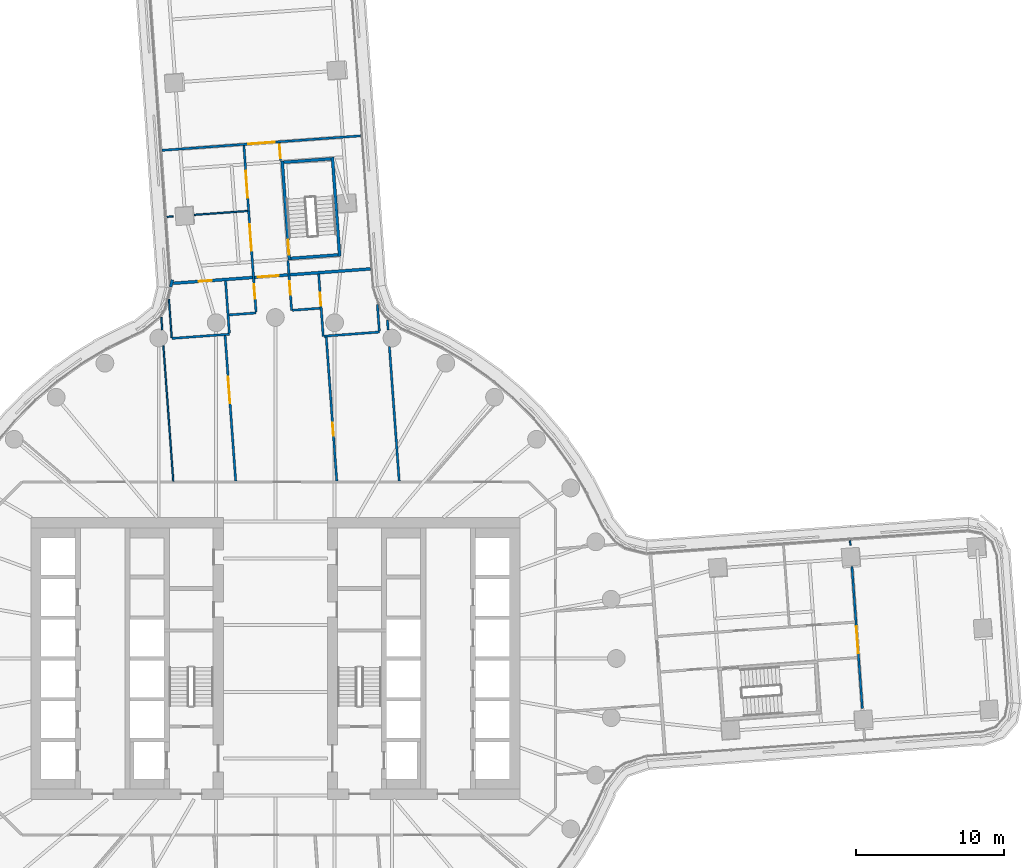
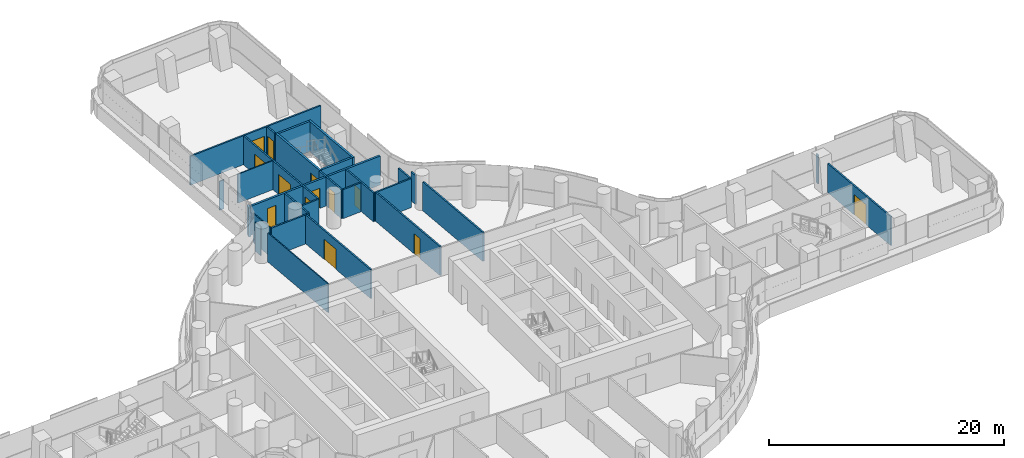
# One storey, part 23 of 31: 28 walls, 13 doors, 13 openings.
"""IFC4 building model written with IfcOpenShell, lengths in metres."""

from ifc_helpers import new_model, si_unit, direction, frame, frame_2d, origin, place, context, subcontext, project, spatial, polyline, rectangle, outline, extrude, material, layer, layer_set, type_object, element, fill, save


model = new_model("IFC4")

# Units and contexts
model_context = context("Model", 3, precision=1e-05, world=origin(), true_north=direction((0.0, 1.0)))
body_context = subcontext(model_context, "Body", "Model", "MODEL_VIEW")
ifc_project = project(units=[si_unit("LENGTHUNIT", "METRE"), si_unit("AREAUNIT", "SQUARE_METRE"), si_unit("VOLUMEUNIT", "CUBIC_METRE"), si_unit("PLANEANGLEUNIT", "RADIAN"), si_unit("MASSUNIT", "GRAM", prefix="KILO")], contexts=[model_context])

# Site, building, storey
site_placement = place(None, origin())
site = spatial("IfcSite", under=ifc_project, at=site_placement, CompositionType="ELEMENT")
building_placement = place(site_placement, origin())
building = spatial("IfcBuilding", under=site, at=building_placement, Name="Tamarind Cross Interchange Tower", CompositionType="ELEMENT")
storey_placement = place(building_placement, frame((0.0, 0.0, 49.0)))
storey = spatial("IfcBuildingStorey", under=building, at=storey_placement, Name="L10", CompositionType="ELEMENT", Elevation=49.0)

# Walls
ifc_material_1 = material(Name="Gypsum board partition on steel studs", Category="steel")
ifc_layer_1 = layer(ifc_material_1, 0.10009765625)
ifc_layer_set_1 = layer_set([ifc_layer_1], Name="Gypsum board partition on steel studs")
wall_type_1 = type_object("IfcWallType", Name="Partition 100 mm EI 90", PredefinedType="PARTITIONING", material=ifc_layer_set_1)
wall_1_placement = place(storey_placement, frame((-7.69384765625, 23.006591796875, 0.0), z_axis=(0.0, 0.0, 1.0), x_axis=(0.072780226335, -0.997348002783, 0.0)))
element("IfcWall", 1, at=wall_1_placement, inside=storey, type_object=wall_type_1, Name="Partition L10-007", PredefinedType="PARTITIONING", context=body_context, shape_type="SweptSolid", body=[
    extrude(rectangle(XDim=0.8486328125, YDim=0.10009765625, at=frame_2d((0.42431640625, 0.0))), origin(), (0.0, 0.0, 1.0), 3.010009765625),
])
wall_2_placement = place(storey_placement, frame((-7.553955078125, 21.09228515625, 0.0), z_axis=(0.0, 0.0, 1.0), x_axis=(0.072893491176, -0.997339730956, 0.0)))
element("IfcWall", 2, at=wall_2_placement, inside=storey, type_object=wall_type_1, Name="Partition L10-008", PredefinedType="PARTITIONING", context=body_context, shape_type="SweptSolid", body=[
    extrude(rectangle(XDim=9.156982421875, YDim=0.10009765625, at=frame_2d((4.57861328125, 0.0))), origin(), (0.0, 0.0, 1.0), 3.010009765625),
])
wall_3_placement = place(storey_placement, frame((-7.180908203125, 24.22509765625, 0.0), z_axis=(0.0, 0.0, 1.0), x_axis=(0.072617781565, -0.997359843688, 0.0)))
element("IfcWall", 3, at=wall_3_placement, inside=storey, type_object=wall_type_1, Name="Partition L10-011", PredefinedType="PARTITIONING", context=body_context, shape_type="SweptSolid", body=[
    extrude(rectangle(XDim=2.58203125, YDim=0.10009765625, at=frame_2d((1.291015625, 0.0))), origin(), (0.0, 0.0, 1.0), 3.010009765625),
])
wall_4_placement = place(storey_placement, frame((38.76416015625, 7.960205078125, 0.0), z_axis=(0.0, 0.0, 1.0), x_axis=(0.072708373426, -0.997353243557, 0.0)))
element("IfcWall", 4, at=wall_4_placement, inside=storey, type_object=wall_type_1, Name="Partition L10-032", PredefinedType="PARTITIONING", context=body_context, shape_type="SweptSolid", body=[
    extrude(rectangle(XDim=0.33251953125, YDim=0.10009765625, at=frame_2d((0.166259765625, 0.0))), origin(), (0.0, 0.0, 1.0), 3.010009765625),
])
wall_5_placement = place(storey_placement, frame((-7.324951171875, 29.787109375, 0.0), z_axis=(0.0, 0.0, 1.0), x_axis=(0.997375405729, 0.07240372951, 0.0)))
element("IfcWall", 5, at=wall_5_placement, inside=storey, type_object=wall_type_1, Name="Partition L10-052", PredefinedType="PARTITIONING", context=body_context, shape_type="SweptSolid", body=[
    extrude(rectangle(XDim=0.43505859375, YDim=0.10009765625, at=frame_2d((0.217529296875, 0.0))), origin(), (0.0, 0.0, 1.0), 3.010009765625),
])
wall_6_placement = place(storey_placement, frame((-5.458984375, 29.923095703125, 0.0), z_axis=(0.0, 0.0, 1.0), x_axis=(0.997346702702, 0.072798039874, 0.0)))
element("IfcWall", 6, at=wall_6_placement, inside=storey, type_object=wall_type_1, Name="Partition L10-053", PredefinedType="PARTITIONING", context=body_context, shape_type="SweptSolid", body=[
    extrude(rectangle(XDim=3.601806640625, YDim=0.10009765625, at=frame_2d((1.80078125, 0.0))), origin(), (0.0, 0.0, 1.0), 3.010009765625),
])

# Wall, opening, door
ifc_layer_2 = layer(ifc_material_1, 0.14990234375)
ifc_layer_set_2 = layer_set([ifc_layer_2], Name="Gypsum board partition on steel studs")
wall_type_2 = type_object("IfcWallType", Name="Partition 150 mm EI 120", PredefinedType="PARTITIONING", material=ifc_layer_set_2)
wall_7_placement = place(storey_placement, frame((-3.392822265625, 21.7822265625, 0.0), z_axis=(0.0, 0.0, 1.0), x_axis=(0.072843863504, -0.997343356899, 0.0)))
wall_7 = element("IfcWall", 7, at=wall_7_placement, inside=storey, type_object=wall_type_2, Name="Partition L10-013", PredefinedType="PARTITIONING", context=body_context, shape_type="SweptSolid", body=[
    extrude(rectangle(XDim=9.843505859375, YDim=0.14990234375, at=frame_2d((4.921875, 0.0))), origin(), (0.0, 0.0, 1.0), 3.010009765625),
])
opening_1_placement = place(wall_7_placement, frame((2.780029296875, 0.0, 0.0)))
opening_1 = element("IfcOpeningElement", 8, at=opening_1_placement, cuts=wall_7, Name="Opening D04", PredefinedType="OPENING", context=body_context, shape_type="SweptSolid", body=[
    extrude(rectangle(XDim=1.800048828125, YDim=2.10009765625, at=frame_2d((0.89990234375, 1.050048828125))), frame((0.0, 0.0849609375, 0.0), z_axis=(0.0, -1.0, 0.0), x_axis=(1.0, 0.0, 0.0)), (0.0, 0.0, 1.0), 0.169921875),
])
ifc_material_2 = material(Name="Fire-resisting door set")
door_type_1 = type_object("IfcDoorType", Name="Interior door 1800 x 2100 FD60S", OperationType="DOUBLE_DOOR_SINGLE_SWING", PredefinedType="DOOR", material=ifc_material_2)
door_1_placement = place(opening_1_placement, frame((1.800048828125, 0.0, 0.0), z_axis=(0.0, 0.0, 1.0), x_axis=(-1.0, 0.0, 0.0)))
door_1 = element("IfcDoor", 9, at=door_1_placement, inside=storey, type_object=door_type_1, Name="Door D04", OperationType="DOUBLE_DOOR_SINGLE_SWING", OverallHeight=2.10009765625, OverallWidth=1.800048828125, PredefinedType="DOOR", context=body_context, shape_type="SweptSolid", body=[
    extrude(rectangle(XDim=1.800048828125, YDim=2.10009765625, at=frame_2d((0.89990234375, 1.050048828125))), frame((0.0, 0.02490234375, 0.0), z_axis=(0.0, -1.0, 0.0), x_axis=(1.0, 0.0, 0.0)), (0.0, 0.0, 1.0), 0.050048828125),
])
fill(opening_1, door_1)

# Wall
wall_8_placement = place(storey_placement, frame((-3.362060546875, 25.46923828125, 0.0), z_axis=(0.0, 0.0, 1.0), x_axis=(0.072967272468, -0.997334335691, 0.0)))
element("IfcWall", 10, at=wall_8_placement, inside=storey, type_object=wall_type_2, Name="Partition L10-014", PredefinedType="PARTITIONING", context=body_context, shape_type="SweptSolid", body=[
    extrude(rectangle(XDim=3.5400390625, YDim=0.14990234375, at=frame_2d((1.77001953125, 0.0))), origin(), (0.0, 0.0, 1.0), 3.010009765625),
])

# Wall, openings, doors
wall_9_placement = place(storey_placement, frame((-2.125, 34.609130859375, 0.0), z_axis=(0.0, 0.0, 1.0), x_axis=(0.072882577089, -0.997340528584, 0.0)))
wall_9 = element("IfcWall", 11, at=wall_9_placement, inside=storey, type_object=wall_type_2, Name="Partition L10-015", PredefinedType="PARTITIONING", context=body_context, shape_type="SweptSolid", body=[
    extrude(rectangle(XDim=11.265380859375, YDim=0.14990234375, at=frame_2d((5.6328125, 0.0))), origin(), (0.0, 0.0, 1.0), 3.010009765625),
])
opening_2_placement = place(wall_9_placement, frame((9.380859375, 0.0, 0.0)))
opening_2 = element("IfcOpeningElement", 12, at=opening_2_placement, cuts=wall_9, Name="Opening D05", PredefinedType="OPENING", context=body_context, shape_type="SweptSolid", body=[
    extrude(rectangle(XDim=1.0, YDim=2.10009765625, at=frame_2d((0.5, 1.050048828125))), frame((0.0, 0.0849609375, 0.0), z_axis=(0.0, -1.0, 0.0), x_axis=(1.0, 0.0, 0.0)), (0.0, 0.0, 1.0), 0.169921875),
])
opening_3_placement = place(wall_9_placement, frame((1.72998046875, 0.0, 0.0)))
opening_3 = element("IfcOpeningElement", 13, at=opening_3_placement, cuts=wall_9, Name="Opening D06", PredefinedType="OPENING", context=body_context, shape_type="SweptSolid", body=[
    extrude(rectangle(XDim=1.800048828125, YDim=2.10009765625, at=frame_2d((0.89990234375, 1.050048828125))), frame((0.0, 0.0849609375, 0.0), z_axis=(0.0, -1.0, 0.0), x_axis=(1.0, 0.0, 0.0)), (0.0, 0.0, 1.0), 0.169921875),
])
opening_4_placement = place(wall_9_placement, frame((5.3310546875, 0.0, 0.0)))
opening_4 = element("IfcOpeningElement", 14, at=opening_4_placement, cuts=wall_9, Name="Opening D07", PredefinedType="OPENING", context=body_context, shape_type="SweptSolid", body=[
    extrude(rectangle(XDim=1.800048828125, YDim=2.10009765625, at=frame_2d((0.89990234375, 1.050048828125))), frame((0.0, 0.0849609375, 0.0), z_axis=(0.0, -1.0, 0.0), x_axis=(1.0, 0.0, 0.0)), (0.0, 0.0, 1.0), 0.169921875),
])
door_type_2 = type_object("IfcDoorType", Name="Interior door 1000 x 2100 FD60S", OperationType="SINGLE_SWING_LEFT", PredefinedType="DOOR", material=ifc_material_2)
door_2_placement = place(opening_2_placement, frame((1.0, 0.0, 0.0), z_axis=(0.0, 0.0, 1.0), x_axis=(-1.0, 0.0, 0.0)))
door_2 = element("IfcDoor", 15, at=door_2_placement, inside=storey, type_object=door_type_2, Name="Door D05", OperationType="SINGLE_SWING_RIGHT", OverallHeight=2.10009765625, OverallWidth=1.0, PredefinedType="DOOR", context=body_context, shape_type="SweptSolid", body=[
    extrude(rectangle(XDim=1.0, YDim=2.10009765625, at=frame_2d((0.5, 1.050048828125))), frame((0.0, 0.02490234375, 0.0), z_axis=(0.0, -1.0, 0.0), x_axis=(1.0, 0.0, 0.0)), (0.0, 0.0, 1.0), 0.050048828125),
])
fill(opening_2, door_2)
door_3_placement = place(opening_3_placement, frame((1.800048828125, 0.0, 0.0), z_axis=(0.0, 0.0, 1.0), x_axis=(-1.0, 0.0, 0.0)))
door_3 = element("IfcDoor", 16, at=door_3_placement, inside=storey, type_object=door_type_1, Name="Door D06", OperationType="DOUBLE_DOOR_SINGLE_SWING", OverallHeight=2.10009765625, OverallWidth=1.800048828125, PredefinedType="DOOR", context=body_context, shape_type="SweptSolid", body=[
    extrude(rectangle(XDim=1.800048828125, YDim=2.10009765625, at=frame_2d((0.89990234375, 1.050048828125))), frame((0.0, 0.02490234375, 0.0), z_axis=(0.0, -1.0, 0.0), x_axis=(1.0, 0.0, 0.0)), (0.0, 0.0, 1.0), 0.050048828125),
])
fill(opening_3, door_3)
door_4_placement = place(opening_4_placement, frame((1.800048828125, 0.0, 0.0), z_axis=(0.0, 0.0, 1.0), x_axis=(-1.0, 0.0, 0.0)))
door_4 = element("IfcDoor", 17, at=door_4_placement, inside=storey, type_object=door_type_1, Name="Door D07", OperationType="DOUBLE_DOOR_SINGLE_SWING", OverallHeight=2.10009765625, OverallWidth=1.800048828125, PredefinedType="DOOR", context=body_context, shape_type="SweptSolid", body=[
    extrude(rectangle(XDim=1.800048828125, YDim=2.10009765625, at=frame_2d((0.89990234375, 1.050048828125))), frame((0.0, 0.02490234375, 0.0), z_axis=(0.0, -1.0, 0.0), x_axis=(1.0, 0.0, 0.0)), (0.0, 0.0, 1.0), 0.050048828125),
])
fill(opening_4, door_4)

# Wall, opening, door
wall_10_placement = place(storey_placement, frame((0.268798828125, 34.7880859375, 0.0), z_axis=(0.0, 0.0, 1.0), x_axis=(0.072757475397, -0.997349662743, 0.0)))
wall_10 = element("IfcWall", 18, at=wall_10_placement, inside=storey, type_object=wall_type_2, Name="Partition L10-018", PredefinedType="PARTITIONING", context=body_context, shape_type="SweptSolid", body=[
    extrude(rectangle(XDim=1.194580078125, YDim=0.14990234375, at=frame_2d((0.59716796875, 0.0))), origin(), (0.0, 0.0, 1.0), 3.010009765625),
])
opening_5_placement = place(wall_10_placement, frame((0.144775390625, 0.0, 0.0)))
opening_5 = element("IfcOpeningElement", 19, at=opening_5_placement, cuts=wall_10, Name="Opening D09", PredefinedType="OPENING", context=body_context, shape_type="SweptSolid", body=[
    extrude(rectangle(XDim=0.89990234375, YDim=2.10009765625, at=frame_2d((0.449951171875, 1.050048828125))), frame((0.0, 0.0849609375, 0.0), z_axis=(0.0, -1.0, 0.0), x_axis=(1.0, 0.0, 0.0)), (0.0, 0.0, 1.0), 0.169921875),
])
door_type_3 = type_object("IfcDoorType", Name="Interior door 900 x 2100 FD60S", OperationType="SINGLE_SWING_LEFT", PredefinedType="DOOR", material=ifc_material_2)
door_5_placement = place(opening_5_placement, origin())
door_5 = element("IfcDoor", 20, at=door_5_placement, inside=storey, type_object=door_type_3, Name="Door D09", OperationType="SINGLE_SWING_RIGHT", OverallHeight=2.10009765625, OverallWidth=0.89990234375, PredefinedType="DOOR", context=body_context, shape_type="SweptSolid", body=[
    extrude(rectangle(XDim=0.89990234375, YDim=2.10009765625, at=frame_2d((0.449951171875, 1.050048828125))), frame((0.0, 0.02490234375, 0.0), z_axis=(0.0, -1.0, 0.0), x_axis=(1.0, 0.0, 0.0)), (0.0, 0.0, 1.0), 0.050048828125),
])
fill(opening_5, door_5)

wall_11_placement = place(storey_placement, frame((0.85009765625, 26.834716796875, 0.0), z_axis=(0.0, 0.0, 1.0), x_axis=(0.072883967088, -0.997340427006, 0.0)))
wall_11 = element("IfcWall", 21, at=wall_11_placement, inside=storey, type_object=wall_type_2, Name="Partition L10-019", PredefinedType="PARTITIONING", context=body_context, shape_type="SweptSolid", body=[
    extrude(rectangle(XDim=3.35986328125, YDim=0.14990234375, at=frame_2d((1.679931640625, 0.0))), origin(), (0.0, 0.0, 1.0), 3.010009765625),
])
opening_6_placement = place(wall_11_placement, frame((1.410400390625, 0.0, 0.0)))
opening_6 = element("IfcOpeningElement", 22, at=opening_6_placement, cuts=wall_11, Name="Opening D10", PredefinedType="OPENING", context=body_context, shape_type="SweptSolid", body=[
    extrude(rectangle(XDim=0.89990234375, YDim=2.10009765625, at=frame_2d((0.449951171875, 1.050048828125))), frame((0.0, 0.0849609375, 0.0), z_axis=(0.0, -1.0, 0.0), x_axis=(1.0, 0.0, 0.0)), (0.0, 0.0, 1.0), 0.169921875),
])
door_6_placement = place(opening_6_placement, origin())
door_6 = element("IfcDoor", 23, at=door_6_placement, inside=storey, type_object=door_type_3, Name="Door D10", OperationType="SINGLE_SWING_LEFT", OverallHeight=2.10009765625, OverallWidth=0.89990234375, PredefinedType="DOOR", context=body_context, shape_type="SweptSolid", body=[
    extrude(rectangle(XDim=0.89990234375, YDim=2.10009765625, at=frame_2d((0.449951171875, 1.050048828125))), frame((0.0, 0.02490234375, 0.0), z_axis=(0.0, -1.0, 0.0), x_axis=(1.0, 0.0, 0.0)), (0.0, 0.0, 1.0), 0.050048828125),
])
fill(opening_6, door_6)

wall_12_placement = place(storey_placement, frame((2.921875, 25.92822265625, 0.0), z_axis=(0.0, 0.0, 1.0), x_axis=(0.072526243823, -0.997366504329, 0.0)))
wall_12 = element("IfcWall", 24, at=wall_12_placement, inside=storey, type_object=wall_type_2, Name="Partition L10-023", PredefinedType="PARTITIONING", context=body_context, shape_type="SweptSolid", body=[
    extrude(rectangle(XDim=4.204345703125, YDim=0.14990234375, at=frame_2d((2.10205078125, 0.0))), origin(), (0.0, 0.0, 1.0), 3.010009765625),
])
opening_7_placement = place(wall_12_placement, frame((1.2548828125, 0.0, 0.0)))
opening_7 = element("IfcOpeningElement", 25, at=opening_7_placement, cuts=wall_12, Name="Opening D14", PredefinedType="OPENING", context=body_context, shape_type="SweptSolid", body=[
    extrude(rectangle(XDim=0.89990234375, YDim=2.10009765625, at=frame_2d((0.449951171875, 1.050048828125))), frame((0.0, 0.0849609375, 0.0), z_axis=(0.0, -1.0, 0.0), x_axis=(1.0, 0.0, 0.0)), (0.0, 0.0, 1.0), 0.169921875),
])
door_7_placement = place(opening_7_placement, origin())
door_7 = element("IfcDoor", 26, at=door_7_placement, inside=storey, type_object=door_type_3, Name="Door D14", OperationType="SINGLE_SWING_RIGHT", OverallHeight=2.10009765625, OverallWidth=0.89990234375, PredefinedType="DOOR", context=body_context, shape_type="SweptSolid", body=[
    extrude(rectangle(XDim=0.89990234375, YDim=2.10009765625, at=frame_2d((0.449951171875, 1.050048828125))), frame((0.0, 0.02490234375, 0.0), z_axis=(0.0, -1.0, 0.0), x_axis=(1.0, 0.0, 0.0)), (0.0, 0.0, 1.0), 0.050048828125),
])
fill(opening_7, door_7)

wall_13_placement = place(storey_placement, frame((3.43212890625, 21.68017578125, 0.0), z_axis=(0.0, 0.0, 1.0), x_axis=(0.072906931185, -0.997338748563, 0.0)))
wall_13 = element("IfcWall", 27, at=wall_13_placement, inside=storey, type_object=wall_type_2, Name="Partition L10-024", PredefinedType="PARTITIONING", context=body_context, shape_type="SweptSolid", body=[
    extrude(rectangle(XDim=9.7412109375, YDim=0.14990234375, at=frame_2d((4.87060546875, 0.0))), origin(), (0.0, 0.0, 1.0), 3.010009765625),
])
opening_8_placement = place(wall_13_placement, frame((5.780029296875, 0.0, 0.0)))
opening_8 = element("IfcOpeningElement", 28, at=opening_8_placement, cuts=wall_13, Name="Opening D15", PredefinedType="OPENING", context=body_context, shape_type="SweptSolid", body=[
    extrude(rectangle(XDim=0.89990234375, YDim=2.10009765625, at=frame_2d((0.449951171875, 1.050048828125))), frame((0.0, 0.0849609375, 0.0), z_axis=(0.0, -1.0, 0.0), x_axis=(1.0, 0.0, 0.0)), (0.0, 0.0, 1.0), 0.169921875),
])
door_8_placement = place(opening_8_placement, origin())
door_8 = element("IfcDoor", 29, at=door_8_placement, inside=storey, type_object=door_type_3, Name="Door D15", OperationType="SINGLE_SWING_LEFT", OverallHeight=2.10009765625, OverallWidth=0.89990234375, PredefinedType="DOOR", context=body_context, shape_type="SweptSolid", body=[
    extrude(rectangle(XDim=0.89990234375, YDim=2.10009765625, at=frame_2d((0.449951171875, 1.050048828125))), frame((0.0, 0.02490234375, 0.0), z_axis=(0.0, -1.0, 0.0), x_axis=(1.0, 0.0, 0.0)), (0.0, 0.0, 1.0), 0.050048828125),
])
fill(opening_8, door_8)

# Walls
wall_14_placement = place(storey_placement, frame((6.882080078125, 23.873779296875, 0.0), z_axis=(0.0, 0.0, 1.0), x_axis=(0.072717949107, -0.997352545431, 0.0)))
element("IfcWall", 30, at=wall_14_placement, inside=storey, type_object=wall_type_2, Name="Partition L10-027", PredefinedType="PARTITIONING", context=body_context, shape_type="SweptSolid", body=[
    extrude(rectangle(XDim=1.792724609375, YDim=0.14990234375, at=frame_2d((0.896484375, 0.0))), origin(), (0.0, 0.0, 1.0), 3.010009765625),
])
wall_15_placement = place(storey_placement, frame((7.55908203125, 22.843017578125, 0.0), z_axis=(0.0, 0.0, 1.0), x_axis=(0.072804156196, -0.997346256242, 0.0)))
element("IfcWall", 31, at=wall_15_placement, inside=storey, type_object=wall_type_2, Name="Partition L10-028", PredefinedType="PARTITIONING", context=body_context, shape_type="SweptSolid", body=[
    extrude(rectangle(XDim=0.69091796875, YDim=0.14990234375, at=frame_2d((0.345458984375, 0.0))), origin(), (0.0, 0.0, 1.0), 3.010009765625),
])
wall_16_placement = place(storey_placement, frame((7.68994140625, 21.05029296875, 0.0), z_axis=(0.0, 0.0, 1.0), x_axis=(0.072816342266, -0.99734536661, 0.0)))
element("IfcWall", 32, at=wall_16_placement, inside=storey, type_object=wall_type_2, Name="Partition L10-029", PredefinedType="PARTITIONING", context=body_context, shape_type="SweptSolid", body=[
    extrude(rectangle(XDim=9.109619140625, YDim=0.14990234375, at=frame_2d((4.5546875, 0.0))), origin(), (0.0, 0.0, 1.0), 3.010009765625),
])

# Wall, opening, door
wall_17_placement = place(storey_placement, frame((38.893310546875, 6.19677734375, 0.0), z_axis=(0.0, 0.0, 1.0), x_axis=(0.073021378925, -0.997330375663, 0.0)))
wall_17 = element("IfcWall", 33, at=wall_17_placement, inside=storey, type_object=wall_type_2, Name="Partition L10-033", PredefinedType="PARTITIONING", context=body_context, shape_type="SweptSolid", body=[
    extrude(rectangle(XDim=9.582275390625, YDim=0.14990234375, at=frame_2d((4.791015625, 0.0))), origin(), (0.0, 0.0, 1.0), 3.010009765625),
])
opening_9_placement = place(wall_17_placement, frame((4.048828125, 0.0, 0.0)))
opening_9 = element("IfcOpeningElement", 34, at=opening_9_placement, cuts=wall_17, Name="Opening D17", PredefinedType="OPENING", context=body_context, shape_type="SweptSolid", body=[
    extrude(rectangle(XDim=1.800048828125, YDim=2.10009765625, at=frame_2d((0.89990234375, 1.050048828125))), frame((0.0, 0.0849609375, 0.0), z_axis=(0.0, -1.0, 0.0), x_axis=(1.0, 0.0, 0.0)), (0.0, 0.0, 1.0), 0.169921875),
])
door_9_placement = place(opening_9_placement, frame((1.800048828125, 0.0, 0.0), z_axis=(0.0, 0.0, 1.0), x_axis=(-1.0, 0.0, 0.0)))
door_9 = element("IfcDoor", 35, at=door_9_placement, inside=storey, type_object=door_type_1, Name="Door D17", OperationType="DOUBLE_DOOR_SINGLE_SWING", OverallHeight=2.10009765625, OverallWidth=1.800048828125, PredefinedType="DOOR", context=body_context, shape_type="SweptSolid", body=[
    extrude(rectangle(XDim=1.800048828125, YDim=2.10009765625, at=frame_2d((0.89990234375, 1.050048828125))), frame((0.0, 0.02490234375, 0.0), z_axis=(0.0, -1.0, 0.0), x_axis=(1.0, 0.0, 0.0)), (0.0, 0.0, 1.0), 0.050048828125),
])
fill(opening_9, door_9)

wall_18_placement = place(storey_placement, frame((-7.642578125, 34.276123046875, 0.0), z_axis=(0.0, 0.0, 1.0), x_axis=(0.997339466014, 0.072897116069, 0.0)))
wall_18 = element("IfcWall", 36, at=wall_18_placement, inside=storey, type_object=wall_type_2, Name="Partition L10-051", PredefinedType="PARTITIONING", context=body_context, shape_type="SweptSolid", body=[
    extrude(rectangle(XDim=13.426513671875, YDim=0.14990234375, at=frame_2d((6.71337890625, 0.0))), origin(), (0.0, 0.0, 1.0), 3.010009765625),
])
opening_10_placement = place(wall_18_placement, frame((5.827392578125, 0.0, 0.0)))
opening_10 = element("IfcOpeningElement", 37, at=opening_10_placement, cuts=wall_18, Name="Opening D28", PredefinedType="OPENING", context=body_context, shape_type="SweptSolid", body=[
    extrude(rectangle(XDim=1.800048828125, YDim=2.10009765625, at=frame_2d((0.89990234375, 1.050048828125))), frame((0.0, 0.0849609375, 0.0), z_axis=(0.0, -1.0, 0.0), x_axis=(1.0, 0.0, 0.0)), (0.0, 0.0, 1.0), 0.169921875),
])
door_10_placement = place(opening_10_placement, origin())
door_10 = element("IfcDoor", 38, at=door_10_placement, inside=storey, type_object=door_type_1, Name="Door D28", OperationType="DOUBLE_DOOR_SINGLE_SWING", OverallHeight=2.10009765625, OverallWidth=1.800048828125, PredefinedType="DOOR", context=body_context, shape_type="SweptSolid", body=[
    extrude(rectangle(XDim=1.800048828125, YDim=2.10009765625, at=frame_2d((0.89990234375, 1.050048828125))), frame((0.0, 0.02490234375, 0.0), z_axis=(0.0, -1.0, 0.0), x_axis=(1.0, 0.0, 0.0)), (0.0, 0.0, 1.0), 0.050048828125),
])
fill(opening_10, door_10)

# Walls
wall_19_placement = place(storey_placement, frame((-6.989013671875, 21.590087890625, 0.0), z_axis=(0.0, 0.0, 1.0), x_axis=(0.997351140646, 0.072737213672, 0.0)))
element("IfcWall", 39, at=wall_19_placement, inside=storey, type_object=wall_type_2, Name="Partition L10-054", PredefinedType="PARTITIONING", context=body_context, shape_type="SweptSolid", body=[
    extrude(rectangle(XDim=3.900146484375, YDim=0.14990234375, at=frame_2d((1.9501953125, 0.0))), origin(), (0.0, 0.0, 1.0), 3.010009765625),
])
wall_20_placement = place(storey_placement, frame((-3.124267578125, 23.175048828125, 0.0), z_axis=(0.0, 0.0, 1.0), x_axis=(0.997314507646, 0.073237782865, 0.0)))
element("IfcWall", 40, at=wall_20_placement, inside=storey, type_object=wall_type_2, Name="Partition L10-058", PredefinedType="PARTITIONING", context=body_context, shape_type="SweptSolid", body=[
    extrude(rectangle(XDim=1.830078125, YDim=0.14990234375, at=frame_2d((0.9150390625, 0.0))), origin(), (0.0, 0.0, 1.0), 3.010009765625),
])
wall_21_placement = place(storey_placement, frame((1.159912109375, 23.489501953125, 0.0), z_axis=(0.0, 0.0, 1.0), x_axis=(0.997326045954, 0.073080490301, 0.0)))
element("IfcWall", 41, at=wall_21_placement, inside=storey, type_object=wall_type_2, Name="Partition L10-059", PredefinedType="PARTITIONING", context=body_context, shape_type="SweptSolid", body=[
    extrude(rectangle(XDim=1.864013671875, YDim=0.14990234375, at=frame_2d((0.93212890625, 0.0))), origin(), (0.0, 0.0, 1.0), 3.010009765625),
])
wall_22_placement = place(storey_placement, frame((3.287841796875, 21.739501953125, 0.0), z_axis=(0.0, 0.0, 1.0), x_axis=(0.997173448022, 0.075133977394, 0.0)))
element("IfcWall", 42, at=wall_22_placement, inside=storey, type_object=wall_type_2, Name="Partition L10-061", PredefinedType="PARTITIONING", context=body_context, shape_type="SweptSolid", body=[
    extrude(rectangle(XDim=3.739990234375, YDim=0.14990234375, at=frame_2d((1.8701171875, 0.0))), origin(), (0.0, 0.0, 1.0), 3.010009765625),
])

# Wall, openings, doors
ifc_layer_3 = layer(ifc_material_1, 0.199951171875)
ifc_layer_set_3 = layer_set([ifc_layer_3], Name="Gypsum board partition on steel studs")
wall_type_3 = type_object("IfcWallType", Name="Partition 200 mm EI 180", PredefinedType="PARTITIONING", material=ifc_layer_set_3)
wall_23_placement = place(storey_placement, frame((-6.887451171875, 25.306884765625, 0.0), z_axis=(0.0, 0.0, 1.0), x_axis=(0.997339898606, 0.072891197336, 0.0)))
wall_23 = element("IfcWall", 43, at=wall_23_placement, inside=storey, type_object=wall_type_3, Name="Partition L10-055", PredefinedType="PARTITIONING", context=body_context, shape_type="SweptSolid", body=[
    extrude(rectangle(XDim=13.3271484375, YDim=0.199951171875, at=frame_2d((6.66357421875, 0.0))), origin(), (0.0, 0.0, 1.0), 3.010009765625),
])
opening_11_placement = place(wall_23_placement, frame((5.727783203125, 0.0, 0.0)))
opening_11 = element("IfcOpeningElement", 44, at=opening_11_placement, cuts=wall_23, Name="Opening D29", PredefinedType="OPENING", context=body_context, shape_type="SweptSolid", body=[
    extrude(rectangle(XDim=1.39990234375, YDim=2.10009765625, at=frame_2d((0.699951171875, 1.050048828125))), frame((0.0, 0.10986328125, 0.0), z_axis=(0.0, -1.0, 0.0), x_axis=(1.0, 0.0, 0.0)), (0.0, 0.0, 1.0), 0.219970703125),
])
opening_12_placement = place(wall_23_placement, frame((1.708984375, 0.0, 0.0)))
opening_12 = element("IfcOpeningElement", 45, at=opening_12_placement, cuts=wall_23, Name="Opening D30", PredefinedType="OPENING", context=body_context, shape_type="SweptSolid", body=[
    extrude(rectangle(XDim=0.89990234375, YDim=2.10009765625, at=frame_2d((0.449951171875, 1.050048828125))), frame((0.0, 0.10986328125, 0.0), z_axis=(0.0, -1.0, 0.0), x_axis=(1.0, 0.0, 0.0)), (0.0, 0.0, 1.0), 0.219970703125),
])
door_type_4 = type_object("IfcDoorType", Name="Interior door 1400 x 2100 FD120S", OperationType="DOUBLE_DOOR_SINGLE_SWING", PredefinedType="DOOR", material=ifc_material_2)
door_11_placement = place(opening_11_placement, frame((1.39990234375, 0.0, 0.0), z_axis=(0.0, 0.0, 1.0), x_axis=(-1.0, 0.0, 0.0)))
door_11 = element("IfcDoor", 46, at=door_11_placement, inside=storey, type_object=door_type_4, Name="Door D29", OperationType="DOUBLE_DOOR_SINGLE_SWING", OverallHeight=2.10009765625, OverallWidth=1.39990234375, PredefinedType="DOOR", context=body_context, shape_type="SweptSolid", body=[
    extrude(rectangle(XDim=1.39990234375, YDim=2.10009765625, at=frame_2d((0.699951171875, 1.050048828125))), frame((0.0, 0.02490234375, 0.0), z_axis=(0.0, -1.0, 0.0), x_axis=(1.0, 0.0, 0.0)), (0.0, 0.0, 1.0), 0.050048828125),
])
fill(opening_11, door_11)
door_type_5 = type_object("IfcDoorType", Name="Interior door 900 x 2100 FD120S", OperationType="SINGLE_SWING_LEFT", PredefinedType="DOOR", material=ifc_material_2)
door_12_placement = place(opening_12_placement, frame((0.89990234375, 0.0, 0.0), z_axis=(0.0, 0.0, 1.0), x_axis=(-1.0, 0.0, 0.0)))
door_12 = element("IfcDoor", 47, at=door_12_placement, inside=storey, type_object=door_type_5, Name="Door D30", OperationType="SINGLE_SWING_LEFT", OverallHeight=2.10009765625, OverallWidth=0.89990234375, PredefinedType="DOOR", context=body_context, shape_type="SweptSolid", body=[
    extrude(rectangle(XDim=0.89990234375, YDim=2.10009765625, at=frame_2d((0.449951171875, 1.050048828125))), frame((0.0, 0.02490234375, 0.0), z_axis=(0.0, -1.0, 0.0), x_axis=(1.0, 0.0, 0.0)), (0.0, 0.0, 1.0), 0.050048828125),
])
fill(opening_12, door_12)

# Wall
wall_24_placement = place(storey_placement, frame((-6.946533203125, 25.54052734375, 0.0), z_axis=(0.0, 0.0, 1.0), x_axis=(-0.242650501073, -0.970113773909, 0.0)))
element("IfcWall", 48, at=wall_24_placement, inside=storey, type_object=wall_type_3, Name="Partition L10-078", PredefinedType="PARTITIONING", context=body_context, shape_type="SweptSolid", body=[
    extrude(rectangle(XDim=0.5, YDim=0.199951171875, at=frame_2d((0.25, 0.0))), origin(), (0.0, 0.0, 1.0), 3.010009765625),
])

# Wall, opening, door
ifc_material_3 = material(Name="Concrete C40", Category="concrete")
ifc_layer_4 = layer(ifc_material_3, 0.199951171875)
ifc_layer_set_4 = layer_set([ifc_layer_4], Name="Concrete C40")
wall_type_4 = type_object("IfcWallType", Name="Stair shaft wall 200 mm Concrete C40", PredefinedType="SHEAR", material=ifc_layer_set_4)
wall_25_placement = place(storey_placement, frame((0.94677734375, 26.882080078125, -0.139892578125), z_axis=(0.0, 0.0, 1.0), x_axis=(-0.072878394899, 0.997340834197, 0.0)))
wall_25 = element("IfcWall", 49, at=wall_25_placement, inside=storey, type_object=wall_type_4, Name="Core wall CWL-L10-ST4-H", PredefinedType="SHEAR", context=body_context, shape_type="SweptSolid", body=[
    extrude(rectangle(XDim=6.699951171875, YDim=0.199951171875, at=frame_2d((3.35009765625, 0.0))), origin(), (0.0, 0.0, 1.0), 3.14990234375),
])
opening_13_placement = place(wall_25_placement, frame((0.35009765625, 0.0, 0.0)))
opening_13 = element("IfcOpeningElement", 50, at=opening_13_placement, cuts=wall_25, Name="Opening ST4L10", PredefinedType="OPENING", context=body_context, shape_type="SweptSolid", body=[
    extrude(rectangle(XDim=1.0, YDim=2.10009765625, at=frame_2d((0.5, 1.050048828125))), frame((0.0, 0.10986328125, 0.0), z_axis=(0.0, -1.0, 0.0), x_axis=(1.0, 0.0, 0.0)), (0.0, 0.0, 1.0), 0.219970703125),
])
ifc_material_4 = material(Name="Steel, fire-resisting", Category="steel")
door_type_6 = type_object("IfcDoorType", Name="Core fire door 1000 x 2100 FD90", OperationType="SINGLE_SWING_LEFT", PredefinedType="DOOR", material=ifc_material_4)
door_13_placement = place(opening_13_placement, origin())
door_13 = element("IfcDoor", 51, at=door_13_placement, inside=storey, type_object=door_type_6, Name="L10 stair door ST4", OperationType="SINGLE_SWING_LEFT", OverallHeight=2.10009765625, OverallWidth=1.0, PredefinedType="DOOR", context=body_context, shape_type="SweptSolid", body=[
    extrude(rectangle(XDim=1.0, YDim=2.10009765625, at=frame_2d((0.5, 1.050048828125))), frame((0.0, 0.02490234375, 0.0), z_axis=(0.0, -1.0, 0.0), x_axis=(1.0, 0.0, 0.0)), (0.0, 0.0, 1.0), 0.050048828125),
])
fill(opening_13, door_13)

# Walls
wall_26_placement = place(storey_placement, frame((4.337646484375, 27.1298828125, -0.139892578125), z_axis=(0.0, 0.0, 1.0), x_axis=(-0.072878394899, 0.997340834197, 0.0)))
element("IfcWall", 52, at=wall_26_placement, inside=storey, type_object=wall_type_4, Name="Core wall CWL-L10-ST4-C", PredefinedType="SHEAR", context=body_context, shape_type="SweptSolid", body=[
    extrude(rectangle(XDim=6.699951171875, YDim=0.199951171875, at=frame_2d((3.35009765625, 0.0))), origin(), (0.0, 0.0, 1.0), 3.14990234375),
])
wall_27_placement = place(storey_placement, frame((4.230712890625, 27.22216796875, -0.139892578125), z_axis=(0.0, 0.0, 1.0), x_axis=(-0.997341978844, -0.072862728718, 0.0)))
element("IfcWall", 53, at=wall_27_placement, inside=storey, type_object=wall_type_4, Name="Core wall CWL-L10-ST4-CE", PredefinedType="SHEAR", context=body_context, shape_type="SweptSolid", body=[
    extrude(rectangle(XDim=3.199951171875, YDim=0.199951171875, at=frame_2d((1.60009765625, 0.0))), origin(), (0.0, 0.0, 1.0), 3.14990234375),
])
wall_28_placement = place(storey_placement, frame((0.0, 0.0, -0.139892578125)))
element("IfcWall", 54, at=wall_28_placement, inside=storey, type_object=wall_type_4, Name="Core wall CWL-L10-ST4-CF", PredefinedType="SHEAR", context=body_context, shape_type="SweptSolid", body=[
    extrude(outline(polyline([(3.764404296875, 33.605224609375), (3.749755859375, 33.8046875), (0.55810546875, 33.5712890625), (0.57275390625, 33.3720703125), (3.764404296875, 33.605224609375)])), origin(), (0.0, 0.0, 1.0), 3.14990234375),
])

save(model, "model.ifc")
